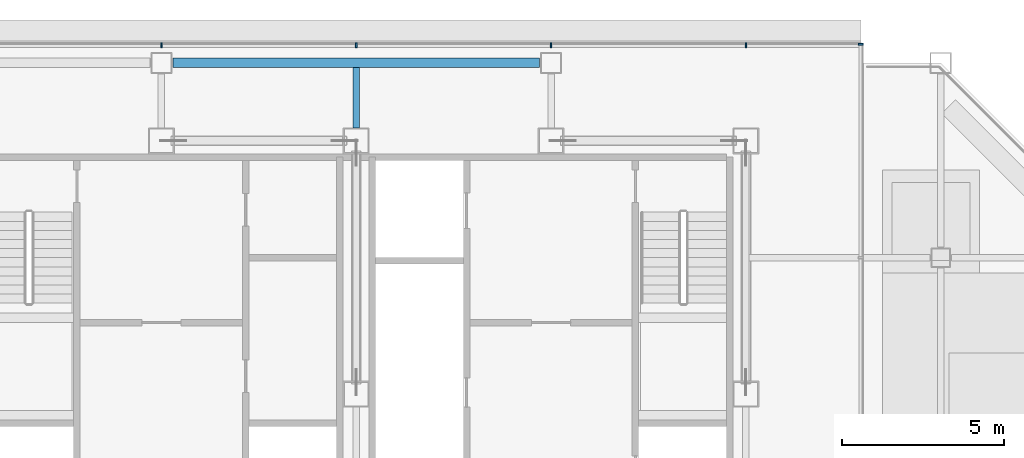
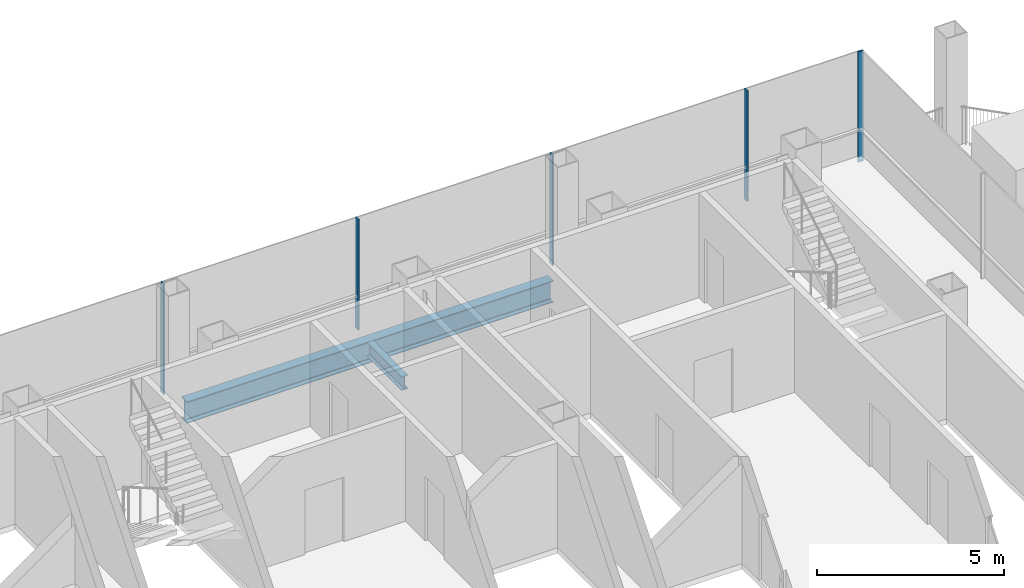
# One storey, part 16 of 29: 5 members, 2 beams, 2 elements without a shape of their own.
"""IFC4 building model written with IfcOpenShell, lengths in metres."""

from ifc_helpers import new_model, si_unit, direction, frame, origin, origin_2d, place, context, subcontext, project, spatial, rectangle, i_section, extrude, material, material_profile, profile_set, type_object, element, aggregate, save


model = new_model("IFC4")

# Units and contexts
model_context = context("Model", 3, precision=1e-05, world=origin(), true_north=direction((0.0, 1.0)))
body_context = subcontext(model_context, "Body", "Model", "MODEL_VIEW")
ifc_project = project(units=[si_unit("LENGTHUNIT", "METRE"), si_unit("AREAUNIT", "SQUARE_METRE"), si_unit("VOLUMEUNIT", "CUBIC_METRE"), si_unit("PLANEANGLEUNIT", "RADIAN"), si_unit("MASSUNIT", "GRAM", prefix="KILO")], contexts=[model_context])

# Site, building, storey
site_placement = place(None, origin())
site = spatial("IfcSite", under=ifc_project, at=site_placement, CompositionType="ELEMENT")
building_placement = place(site_placement, origin())
building = spatial("IfcBuilding", under=site, at=building_placement, Name="Sorahane Residences", CompositionType="ELEMENT")
storey_placement = place(building_placement, frame((0.0, 0.0, 199.199951171875)))
storey = spatial("IfcBuildingStorey", under=building, at=storey_placement, Name="L46", CompositionType="ELEMENT", Elevation=199.199951171875)

# Curtain wall, member
ifc_material_1 = material(Name="Dark low-e glass and black anodised aluminium", Category="aluminium")
curtain_wall_type = type_object("IfcCurtainWallType", Name="Curtain wall CW-1 Typical unitised wall", PredefinedType="NOTDEFINED", material=ifc_material_1)
curtain_wall_1_placement = place(storey_placement, origin())
curtain_wall_1 = element("IfcCurtainWall", 1, at=curtain_wall_1_placement, inside=storey, type_object=curtain_wall_type, Name="CW-1 curtain wall L46 E2", PredefinedType="NOTDEFINED")
ifc_material_2 = material(Name="Black anodised aluminium", Category="aluminium")
ifc_material_profile_1 = material_profile(ifc_material_2, rectangle(XDim=0.159912109375, YDim=0.050048828125, at=origin_2d()), Name="Curtain wall mullion CW-1 black anodised aluminium 50x160")
ifc_profile_set_1 = profile_set([ifc_material_profile_1], Name="Black anodised aluminium")
member_type = type_object("IfcMemberType", Name="Curtain wall mullion CW-1 black anodised aluminium 50x160", PredefinedType="MULLION", material=ifc_profile_set_1)
member_1_placement = place(storey_placement, frame((45.5400390625, 48.574951171875, -0.179931640625), z_axis=(0.0, 0.0, 1.0), x_axis=(1.0, 0.0, 0.0)))
member_1 = element("IfcMember", 2, at=member_1_placement, type_object=member_type, Name="CW-1 mullion L46 E2.4", PredefinedType="MULLION", context=body_context, shape_type="SweptSolid", body=[
    extrude(rectangle(XDim=0.159912109375, YDim=0.050048828125, at=origin_2d()), origin(), (0.0, 0.0, 1.0), 3.60009765625),
])
aggregate(curtain_wall_1, [member_1])

# Curtain wall, members
curtain_wall_2_placement = place(storey_placement, origin())
curtain_wall_2 = element("IfcCurtainWall", 3, at=curtain_wall_2_placement, inside=storey, type_object=curtain_wall_type, Name="CW-1 curtain wall L46 N2", PredefinedType="NOTDEFINED")
member_2_placement = place(storey_placement, frame((42.0, 48.5400390625, -0.179931640625), z_axis=(0.0, 0.0, 1.0), x_axis=(0.0, 1.0, 0.0)))
member_2 = element("IfcMember", 4, at=member_2_placement, type_object=member_type, Name="CW-1 mullion L46 N2.2", PredefinedType="MULLION", context=body_context, shape_type="SweptSolid", body=[
    extrude(rectangle(XDim=0.159912109375, YDim=0.050048828125, at=origin_2d()), origin(), (0.0, 0.0, 1.0), 3.60009765625),
])
member_3_placement = place(storey_placement, frame((36.0, 48.5400390625, -0.179931640625), z_axis=(0.0, 0.0, 1.0), x_axis=(0.0, 1.0, 0.0)))
member_3 = element("IfcMember", 5, at=member_3_placement, type_object=member_type, Name="CW-1 mullion L46 N2.3", PredefinedType="MULLION", context=body_context, shape_type="SweptSolid", body=[
    extrude(rectangle(XDim=0.159912109375, YDim=0.050048828125, at=origin_2d()), origin(), (0.0, 0.0, 1.0), 3.60009765625),
])
member_4_placement = place(storey_placement, frame((30.0, 48.5400390625, -0.179931640625), z_axis=(0.0, 0.0, 1.0), x_axis=(0.0, 1.0, 0.0)))
member_4 = element("IfcMember", 6, at=member_4_placement, type_object=member_type, Name="CW-1 mullion L46 N2.4", PredefinedType="MULLION", context=body_context, shape_type="SweptSolid", body=[
    extrude(rectangle(XDim=0.159912109375, YDim=0.050048828125, at=origin_2d()), origin(), (0.0, 0.0, 1.0), 3.60009765625),
])
member_5_placement = place(storey_placement, frame((24.0, 48.5400390625, -0.179931640625), z_axis=(0.0, 0.0, 1.0), x_axis=(0.0, 1.0, 0.0)))
member_5 = element("IfcMember", 7, at=member_5_placement, type_object=member_type, Name="CW-1 mullion L46 N2.5", PredefinedType="MULLION", context=body_context, shape_type="SweptSolid", body=[
    extrude(rectangle(XDim=0.159912109375, YDim=0.050048828125, at=origin_2d()), origin(), (0.0, 0.0, 1.0), 3.60009765625),
])
aggregate(curtain_wall_2, [member_2, member_3, member_4, member_5])

# Beams
ifc_material_3 = material(Name="Steel Q355B", Category="steel")
ifc_material_profile_2 = material_profile(ifc_material_3, i_section(OverallWidth=0.199951171875, OverallDepth=0.449951171875, WebThickness=0.009033203125, FlangeThickness=0.013916015625, FilletRadius=0.02001953125, at=origin_2d()), Name="HN 450x200x9x14")
ifc_profile_set_2 = profile_set([ifc_material_profile_2], Name="Steel Q355B")
beam_type_1 = type_object("IfcBeamType", Name="Steel floor beam HN 450x200x9x14 Q355B", PredefinedType="BEAM", material=ifc_profile_set_2)
beam_1_placement = place(storey_placement, frame((30.0, 46.0, -0.405029296875), z_axis=(0.0, 1.0, 0.0), x_axis=(-1.0, 0.0, 0.0)))
element("IfcBeam", 8, at=beam_1_placement, inside=storey, type_object=beam_type_1, Name="Beam L46 048", PredefinedType="BEAM", context=body_context, shape_type="SweptSolid", body=[
    extrude(i_section(OverallWidth=0.199951171875, OverallDepth=0.449951171875, WebThickness=0.009033203125, FlangeThickness=0.013916015625, FilletRadius=0.02001953125, at=origin_2d()), origin(), (0.0, 0.0, 1.0), 1.85009765625),
])
ifc_material_4 = material(Name="Steel Q355B", Category="steel")
ifc_material_profile_3 = material_profile(ifc_material_4, i_section(OverallWidth=0.300048828125, OverallDepth=0.699951171875, WebThickness=0.012939453125, FlangeThickness=0.02392578125, FilletRadius=0.028076171875, at=origin_2d()), Name="HN 700x300x13x24")
ifc_profile_set_3 = profile_set([ifc_material_profile_3], Name="Steel Q355B")
beam_type_2 = type_object("IfcBeamType", Name="Steel floor beam HN 700x300x13x24 Q355B", PredefinedType="BEAM", material=ifc_profile_set_3)
beam_2_placement = place(storey_placement, frame((24.35009765625, 48.0, -0.530029296875), z_axis=(1.0, 0.0, 0.0), x_axis=(0.0, 1.0, 0.0)))
element("IfcBeam", 9, at=beam_2_placement, inside=storey, type_object=beam_type_2, Name="Beam L46 018", PredefinedType="BEAM", context=body_context, shape_type="SweptSolid", body=[
    extrude(i_section(OverallWidth=0.300048828125, OverallDepth=0.699951171875, WebThickness=0.012939453125, FlangeThickness=0.02392578125, FilletRadius=0.028076171875, at=origin_2d()), origin(), (0.0, 0.0, 1.0), 11.2998046875),
])

save(model, "model.ifc")
